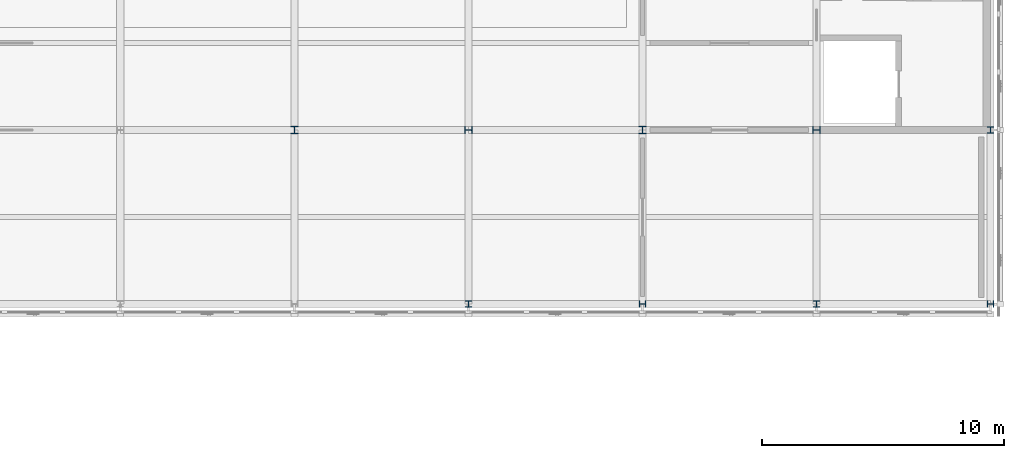
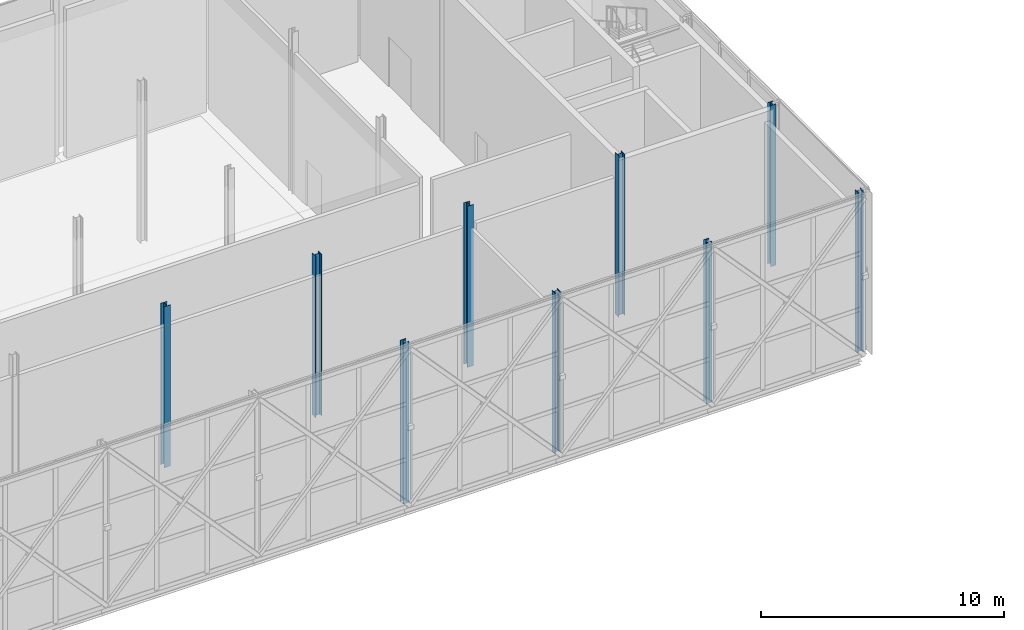
# One storey, part 5 of 76: 9 columns.
"""IFC4 building model written with IfcOpenShell, lengths in metres."""

from ifc_helpers import new_model, si_unit, direction, frame, origin, origin_2d, place, context, subcontext, project, spatial, i_section, extrude, material, material_profile, profile_set, type_object, element, save


model = new_model("IFC4")

# Units and contexts
model_context = context("Model", 3, precision=1e-05, world=origin(), true_north=direction((0.0, 1.0)))
body_context = subcontext(model_context, "Body", "Model", "MODEL_VIEW")
ifc_project = project(units=[si_unit("LENGTHUNIT", "METRE"), si_unit("AREAUNIT", "SQUARE_METRE"), si_unit("VOLUMEUNIT", "CUBIC_METRE"), si_unit("PLANEANGLEUNIT", "RADIAN"), si_unit("MASSUNIT", "GRAM", prefix="KILO")], contexts=[model_context])

# Site, building, storey
site_placement = place(None, origin())
site = spatial("IfcSite", under=ifc_project, at=site_placement, CompositionType="ELEMENT")
building_placement = place(site_placement, origin())
building = spatial("IfcBuilding", under=site, at=building_placement, Name="Zlatovets Crest Museum", CompositionType="ELEMENT")
storey_placement = place(building_placement, frame((0.0, 0.0, 17.10009765625)))
storey = spatial("IfcBuildingStorey", under=building, at=storey_placement, Name="L04", CompositionType="ELEMENT", Elevation=17.10009765625)

# Columns
ifc_material = material(Name="Structural steel S355J2", Category="steel")
ifc_material_profile_1 = material_profile(ifc_material, i_section(OverallWidth=0.300048828125, OverallDepth=0.300048828125, WebThickness=0.010986328125, FlangeThickness=0.01904296875, FilletRadius=0.027099609375, at=origin_2d()), Name="HEB 300")
ifc_profile_set_1 = profile_set([ifc_material_profile_1], Name="Structural steel S355J2")
column_type_1 = type_object("IfcColumnType", Name="Col_C-09", PredefinedType="COLUMN", material=ifc_profile_set_1)
for number, where, z_axis, x_axis, name in (
    (1, (79.199951171875, 93.60009765625, 0.0), (0.0, 0.0, 1.0), (1.0, 0.0, 0.0), "V1 L04 Column (79.2, 93.6)"),
    (2, (86.39990234375, 93.60009765625, 0.0), (0.0, 0.0, 1.0), (0.0, 1.0, 0.0), "V1 L04 Column (86.4, 93.6)"),
    (3, (93.60009765625, 93.60009765625, 0.0), (0.0, 0.0, 1.0), (1.0, 0.0, 0.0), "V1 L04 Column (93.6, 93.6)"),
    (4, (100.800048828125, 93.60009765625, 0.0), (0.0, 0.0, 1.0), (0.0, 1.0, 0.0), "V1 L04 Column (100.8, 93.6)"),
):
    element("IfcColumn", number, at=place(storey_placement, frame(where, z_axis=z_axis, x_axis=x_axis)), inside=storey, type_object=column_type_1, Name=name, PredefinedType="COLUMN", context=body_context, shape_type="SweptSolid", body=[
        extrude(i_section(OverallWidth=0.300048828125, OverallDepth=0.300048828125, WebThickness=0.010986328125, FlangeThickness=0.01904296875, FilletRadius=0.027099609375, at=origin_2d()), origin(), (0.0, 0.0, 1.0), 8.099853515625),
    ])
ifc_material_profile_2 = material_profile(ifc_material, i_section(OverallWidth=0.260009765625, OverallDepth=0.260009765625, WebThickness=0.010009765625, FlangeThickness=0.017578125, FilletRadius=0.02392578125, at=origin_2d()), Name="HEB 260")
ifc_profile_set_2 = profile_set([ifc_material_profile_2], Name="Structural steel S355J2")
column_type_2 = type_object("IfcColumnType", Name="Col_C-10", PredefinedType="COLUMN", material=ifc_profile_set_2)
for number, where, z_axis, x_axis, name in (
    (5, (86.39990234375, 86.39990234375, 0.0), (0.0, 0.0, 1.0), (1.0, 0.0, 0.0), "V1 L04 Column (86.4, 86.4)"),
    (6, (93.60009765625, 86.39990234375, 0.0), (0.0, 0.0, 1.0), (0.0, 1.0, 0.0), "V1 L04 Column (93.6, 86.4)"),
    (7, (100.800048828125, 86.39990234375, 0.0), (0.0, 0.0, 1.0), (1.0, 0.0, 0.0), "V1 L04 Column (100.8, 86.4)"),
    (8, (108.0, 86.39990234375, 0.0), (0.0, 0.0, 1.0), (0.0, 1.0, 0.0), "V1 L04 Column (108.0, 86.4)"),
    (9, (108.0, 93.60009765625, 0.0), (0.0, 0.0, 1.0), (1.0, 0.0, 0.0), "V1 L04 Column (108.0, 93.6)"),
):
    element("IfcColumn", number, at=place(storey_placement, frame(where, z_axis=z_axis, x_axis=x_axis)), inside=storey, type_object=column_type_2, Name=name, PredefinedType="COLUMN", context=body_context, shape_type="SweptSolid", body=[
        extrude(i_section(OverallWidth=0.260009765625, OverallDepth=0.260009765625, WebThickness=0.010009765625, FlangeThickness=0.017578125, FilletRadius=0.02392578125, at=origin_2d()), origin(), (0.0, 0.0, 1.0), 8.099853515625),
    ])

save(model, "model.ifc")
